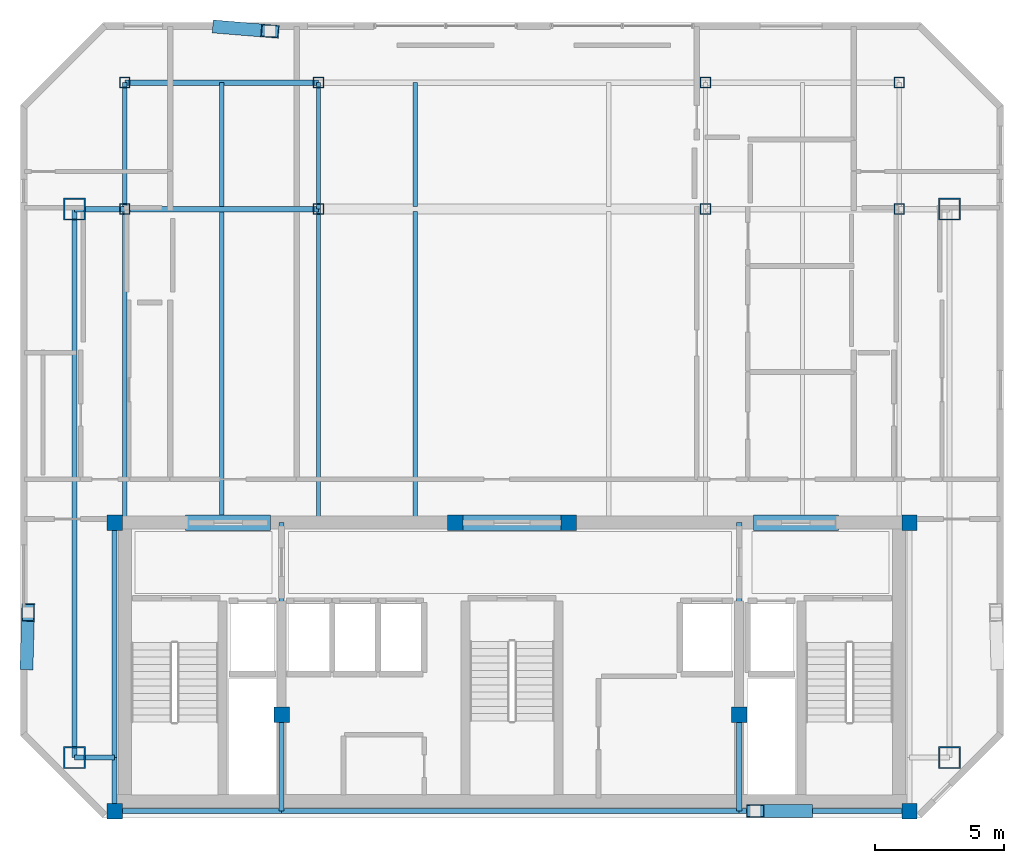
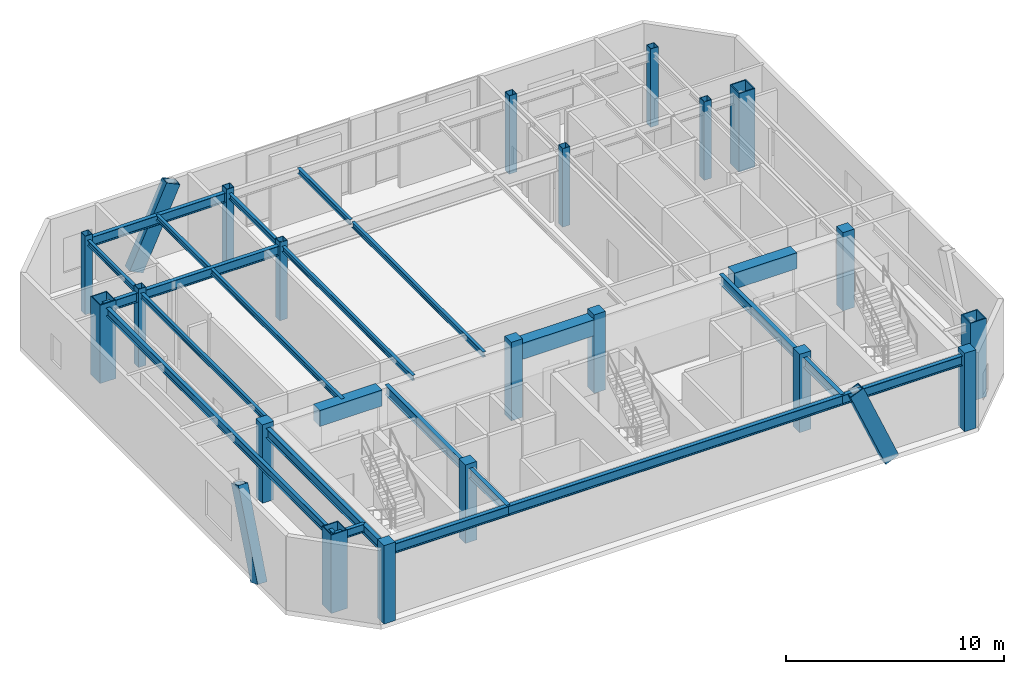
# One storey, part 1 of 10: 25 beams, 20 columns, 3 members.
"""IFC4 building model written with IfcOpenShell, lengths in metres."""

from ifc_helpers import new_model, si_unit, direction, frame, origin, origin_2d, place, context, subcontext, project, spatial, rectangle, hollow_rectangle, i_section, extrude, material, material_profile, profile_set, type_object, element, save


model = new_model("IFC4")

# Units and contexts
model_context = context("Model", 3, precision=1e-05, world=origin(), true_north=direction((0.0, 1.0)))
body_context = subcontext(model_context, "Body", "Model", "MODEL_VIEW")
ifc_project = project(units=[si_unit("LENGTHUNIT", "METRE"), si_unit("AREAUNIT", "SQUARE_METRE"), si_unit("VOLUMEUNIT", "CUBIC_METRE"), si_unit("PLANEANGLEUNIT", "RADIAN"), si_unit("MASSUNIT", "GRAM", prefix="KILO")], contexts=[model_context])

# Site, building, storey
site_placement = place(None, origin())
site = spatial("IfcSite", under=ifc_project, at=site_placement, CompositionType="ELEMENT")
building_placement = place(site_placement, origin())
building = spatial("IfcBuilding", under=site, at=building_placement, Name="Ventersveld Concourse Tower", CompositionType="ELEMENT")
storey_placement = place(building_placement, frame((0.0, 0.0, 357.85009765625)))
storey = spatial("IfcBuildingStorey", under=building, at=storey_placement, Name="L88", CompositionType="ELEMENT", Elevation=357.85009765625)

# Columns
ifc_material_1 = material(Name="Concrete C50/60", Category="concrete")
ifc_material_profile_1 = material_profile(ifc_material_1, rectangle(XDim=0.60009765625, YDim=0.60009765625, at=origin_2d()), Name="RC 600x600")
ifc_profile_set_1 = profile_set([ifc_material_profile_1], Name="Concrete C50/60")
column_type_1 = type_object("IfcColumnType", Name="COL-RC600", PredefinedType="COLUMN", material=ifc_profile_set_1)
for number, where, z_axis, x_axis, name in (
    (1, (13.35009765625, 0.280029296875, 0.0), (0.0, 0.0, 1.0), (1.0, 0.0, 0.0), "L88 Core Spine Column CC-SW"),
    (2, (44.14990234375, 0.280029296875, 0.0), (0.0, 0.0, 1.0), (1.0, 0.0, 0.0), "L88 Core Spine Column CC-SE"),
    (3, (13.35009765625, 11.449951171875, 0.0), (0.0, 0.0, 1.0), (1.0, 0.0, 0.0), "L88 Core Spine Column CC-NW"),
    (4, (44.14990234375, 11.449951171875, 0.0), (0.0, 0.0, 1.0), (1.0, 0.0, 0.0), "L88 Core Spine Column CC-NE"),
    (5, (19.820068359375, 4.0, 0.0), (0.0, 0.0, 1.0), (1.0, 0.0, 0.0), "L88 Core Spine Column CM-1"),
    (6, (37.550048828125, 4.0, 0.0), (0.0, 0.0, 1.0), (1.0, 0.0, 0.0), "L88 Core Spine Column CM-2"),
    (7, (26.550048828125, 11.449951171875, 0.0), (0.0, 0.0, 1.0), (1.0, 0.0, 0.0), "L88 Core Spine Column CM-3"),
    (8, (30.949951171875, 11.449951171875, 0.0), (0.0, 0.0, 1.0), (1.0, 0.0, 0.0), "L88 Core Spine Column CM-4"),
):
    element("IfcColumn", number, at=place(storey_placement, frame(where, z_axis=z_axis, x_axis=x_axis)), inside=storey, type_object=column_type_1, Name=name, PredefinedType="COLUMN", context=body_context, shape_type="SweptSolid", body=[
        extrude(rectangle(XDim=0.60009765625, YDim=0.60009765625, at=origin_2d()), origin(), (0.0, 0.0, 1.0), 4.39990234375),
    ])
ifc_material_2 = material(Name="Structural steel S355J2", Category="steel")
ifc_material_profile_2 = material_profile(ifc_material_2, hollow_rectangle(XDim=0.39990234375, YDim=0.39990234375, WallThickness=0.02001953125, at=origin_2d()), Name="SHS 400x400x20")
ifc_profile_set_2 = profile_set([ifc_material_profile_2], Name="Structural steel S355J2")
column_type_2 = type_object("IfcColumnType", Name="COL-SHS400", PredefinedType="COLUMN", material=ifc_profile_set_2)
for number, where, z_axis, x_axis, name in (
    (9, (13.75, 23.60009765625, 0.0), (0.0, 0.0, 1.0), (1.0, 0.0, 0.0), "L88 Interior Gravity Column X=13.75 Y=23.60"),
    (10, (21.25, 23.60009765625, 0.0), (0.0, 0.0, 1.0), (1.0, 0.0, 0.0), "L88 Interior Gravity Column X=21.25 Y=23.60"),
    (11, (36.25, 23.60009765625, 0.0), (0.0, 0.0, 1.0), (1.0, 0.0, 0.0), "L88 Interior Gravity Column X=36.25 Y=23.60"),
    (12, (43.75, 23.60009765625, 0.0), (0.0, 0.0, 1.0), (1.0, 0.0, 0.0), "L88 Interior Gravity Column X=43.75 Y=23.60"),
    (13, (13.75, 28.5, 0.0), (0.0, 0.0, 1.0), (1.0, 0.0, 0.0), "L88 Upper-North Gravity Column X=13.75 Y=28.50"),
    (14, (21.25, 28.5, 0.0), (0.0, 0.0, 1.0), (1.0, 0.0, 0.0), "L88 Upper-North Gravity Column X=21.25 Y=28.50"),
    (15, (36.25, 28.5, 0.0), (0.0, 0.0, 1.0), (1.0, 0.0, 0.0), "L88 Upper-North Gravity Column X=36.25 Y=28.50"),
    (16, (43.75, 28.5, 0.0), (0.0, 0.0, 1.0), (1.0, 0.0, 0.0), "L88 Upper-North Gravity Column X=43.75 Y=28.50"),
):
    element("IfcColumn", number, at=place(storey_placement, frame(where, z_axis=z_axis, x_axis=x_axis)), inside=storey, type_object=column_type_2, Name=name, PredefinedType="COLUMN", context=body_context, shape_type="SweptSolid", body=[
        extrude(hollow_rectangle(XDim=0.39990234375, YDim=0.39990234375, WallThickness=0.02001953125, at=origin_2d()), origin(), (0.0, 0.0, 1.0), 4.39990234375),
    ])
ifc_material_3 = material(Name="Structural steel S460ML", Category="steel")
ifc_material_profile_3 = material_profile(ifc_material_3, hollow_rectangle(XDim=0.85009765625, YDim=0.85009765625, WallThickness=0.050048828125, at=origin_2d()), Name="BOX 850x850x50")
ifc_profile_set_3 = profile_set([ifc_material_profile_3], Name="Structural steel S460ML")
column_type_3 = type_object("IfcColumnType", Name="MC-850", PredefinedType="USERDEFINED", material=ifc_profile_set_3)
for number, where, z_axis, x_axis, name in (
    (17, (11.800048828125, 2.35009765625, 0.0), (0.0, 0.0, 1.0), (1.0, 0.0, 0.0), "L88 Corner Mega-Column MC-SW"),
    (18, (45.699951171875, 2.35009765625, 0.0), (0.0, 0.0, 1.0), (1.0, 0.0, 0.0), "L88 Corner Mega-Column MC-SE"),
    (19, (45.699951171875, 23.60009765625, 0.0), (0.0, 0.0, 1.0), (1.0, 0.0, 0.0), "L88 Corner Mega-Column MC-NE"),
    (20, (11.800048828125, 23.60009765625, 0.0), (0.0, 0.0, 1.0), (1.0, 0.0, 0.0), "L88 Corner Mega-Column MC-NW"),
):
    element("IfcColumn", number, at=place(storey_placement, frame(where, z_axis=z_axis, x_axis=x_axis)), inside=storey, type_object=column_type_3, Name=name, ObjectType="MEGA_COLUMN", PredefinedType="USERDEFINED", context=body_context, shape_type="SweptSolid", body=[
        extrude(hollow_rectangle(XDim=0.85009765625, YDim=0.85009765625, WallThickness=0.050048828125, at=origin_2d()), origin(), (0.0, 0.0, 1.0), 4.39990234375),
    ])

# Beams
ifc_material_profile_4 = material_profile(ifc_material_2, i_section(OverallWidth=0.1650390625, OverallDepth=0.303466796875, WebThickness=0.006103515625, FlangeThickness=0.01025390625, FilletRadius=0.0087890625, at=origin_2d()), Name="UB 305x165x40")
ifc_profile_set_4 = profile_set([ifc_material_profile_4], Name="Structural steel S355J2")
beam_type_1 = type_object("IfcBeamType", Name="BM-UB305", PredefinedType="BEAM", material=ifc_profile_set_4)
beam_1_placement = place(storey_placement, frame((13.75, 11.449951171875, 3.98828125), z_axis=(0.0, 1.0, 0.0), x_axis=(-1.0, 0.0, 0.0)))
element("IfcBeam", 21, at=beam_1_placement, inside=storey, type_object=beam_type_1, Name="L88 N-S Composite Floor Beam South X=13.75", PredefinedType="BEAM", context=body_context, shape_type="SweptSolid", body=[
    extrude(i_section(OverallWidth=0.1650390625, OverallDepth=0.303466796875, WebThickness=0.006103515625, FlangeThickness=0.01025390625, FilletRadius=0.0087890625, at=origin_2d()), origin(), (0.0, 0.0, 1.0), 12.150146484375),
])
beam_2_placement = place(storey_placement, frame((13.75, 23.60009765625, 3.98828125), z_axis=(0.0, 1.0, 0.0), x_axis=(-1.0, 0.0, 0.0)))
element("IfcBeam", 22, at=beam_2_placement, inside=storey, type_object=beam_type_1, Name="L88 N-S Upper-Zone Floor Beam X=13.75", PredefinedType="BEAM", context=body_context, shape_type="SweptSolid", body=[
    extrude(i_section(OverallWidth=0.1650390625, OverallDepth=0.303466796875, WebThickness=0.006103515625, FlangeThickness=0.01025390625, FilletRadius=0.0087890625, at=origin_2d()), origin(), (0.0, 0.0, 1.0), 4.89990234375),
])
beam_3_placement = place(storey_placement, frame((17.5, 11.449951171875, 3.98828125), z_axis=(0.0, 1.0, 0.0), x_axis=(-1.0, 0.0, 0.0)))
element("IfcBeam", 23, at=beam_3_placement, inside=storey, type_object=beam_type_1, Name="L88 N-S Composite Floor Beam South X=17.50", PredefinedType="BEAM", context=body_context, shape_type="SweptSolid", body=[
    extrude(i_section(OverallWidth=0.1650390625, OverallDepth=0.303466796875, WebThickness=0.006103515625, FlangeThickness=0.01025390625, FilletRadius=0.0087890625, at=origin_2d()), origin(), (0.0, 0.0, 1.0), 12.054931640625),
])
beam_4_placement = place(storey_placement, frame((17.5, 23.695068359375, 3.98828125), z_axis=(0.0, 1.0, 0.0), x_axis=(-1.0, 0.0, 0.0)))
element("IfcBeam", 24, at=beam_4_placement, inside=storey, type_object=beam_type_1, Name="L88 N-S Upper-Zone Floor Beam X=17.50", PredefinedType="BEAM", context=body_context, shape_type="SweptSolid", body=[
    extrude(i_section(OverallWidth=0.1650390625, OverallDepth=0.303466796875, WebThickness=0.006103515625, FlangeThickness=0.01025390625, FilletRadius=0.0087890625, at=origin_2d()), origin(), (0.0, 0.0, 1.0), 4.804931640625),
])
beam_5_placement = place(storey_placement, frame((21.25, 11.449951171875, 3.98828125), z_axis=(0.0, 1.0, 0.0), x_axis=(-1.0, 0.0, 0.0)))
element("IfcBeam", 25, at=beam_5_placement, inside=storey, type_object=beam_type_1, Name="L88 N-S Composite Floor Beam South X=21.25", PredefinedType="BEAM", context=body_context, shape_type="SweptSolid", body=[
    extrude(i_section(OverallWidth=0.1650390625, OverallDepth=0.303466796875, WebThickness=0.006103515625, FlangeThickness=0.01025390625, FilletRadius=0.0087890625, at=origin_2d()), origin(), (0.0, 0.0, 1.0), 12.150146484375),
])
beam_6_placement = place(storey_placement, frame((21.25, 23.60009765625, 3.98828125), z_axis=(0.0, 1.0, 0.0), x_axis=(-1.0, 0.0, 0.0)))
element("IfcBeam", 26, at=beam_6_placement, inside=storey, type_object=beam_type_1, Name="L88 N-S Upper-Zone Floor Beam X=21.25", PredefinedType="BEAM", context=body_context, shape_type="SweptSolid", body=[
    extrude(i_section(OverallWidth=0.1650390625, OverallDepth=0.303466796875, WebThickness=0.006103515625, FlangeThickness=0.01025390625, FilletRadius=0.0087890625, at=origin_2d()), origin(), (0.0, 0.0, 1.0), 4.89990234375),
])
beam_7_placement = place(storey_placement, frame((25.0, 11.449951171875, 3.98828125), z_axis=(0.0, 1.0, 0.0), x_axis=(-1.0, 0.0, 0.0)))
element("IfcBeam", 27, at=beam_7_placement, inside=storey, type_object=beam_type_1, Name="L88 N-S Composite Floor Beam South X=25.00", PredefinedType="BEAM", context=body_context, shape_type="SweptSolid", body=[
    extrude(i_section(OverallWidth=0.1650390625, OverallDepth=0.303466796875, WebThickness=0.006103515625, FlangeThickness=0.01025390625, FilletRadius=0.0087890625, at=origin_2d()), origin(), (0.0, 0.0, 1.0), 12.054931640625),
])
beam_8_placement = place(storey_placement, frame((25.0, 23.695068359375, 3.98828125), z_axis=(0.0, 1.0, 0.0), x_axis=(-1.0, 0.0, 0.0)))
element("IfcBeam", 28, at=beam_8_placement, inside=storey, type_object=beam_type_1, Name="L88 N-S Upper-Zone Floor Beam X=25.00", PredefinedType="BEAM", context=body_context, shape_type="SweptSolid", body=[
    extrude(i_section(OverallWidth=0.1650390625, OverallDepth=0.303466796875, WebThickness=0.006103515625, FlangeThickness=0.01025390625, FilletRadius=0.0087890625, at=origin_2d()), origin(), (0.0, 0.0, 1.0), 4.804931640625),
])
ifc_material_profile_5 = material_profile(ifc_material_1, rectangle(XDim=0.60009765625, YDim=0.89990234375, at=origin_2d()), Name="RC 600x900")
ifc_profile_set_5 = profile_set([ifc_material_profile_5], Name="Concrete C50/60")
beam_type_2 = type_object("IfcBeamType", Name="CB-RC600x900U", PredefinedType="LINTEL", material=ifc_profile_set_5)
beam_9_placement = place(storey_placement, frame((16.10009765625, 11.449951171875, 3.68994140625), z_axis=(1.0, 0.0, 0.0), x_axis=(0.0, 1.0, 0.0)))
element("IfcBeam", 29, at=beam_9_placement, inside=storey, type_object=beam_type_2, Name="L88 Core Coupling Lintel Beam 1", PredefinedType="LINTEL", context=body_context, shape_type="SweptSolid", body=[
    extrude(rectangle(XDim=0.60009765625, YDim=0.89990234375, at=origin_2d()), origin(), (0.0, 0.0, 1.0), 3.2998046875),
])
beam_10_placement = place(storey_placement, frame((26.5, 11.449951171875, 3.68994140625), z_axis=(1.0, 0.0, 0.0), x_axis=(0.0, 1.0, 0.0)))
element("IfcBeam", 30, at=beam_10_placement, inside=storey, type_object=beam_type_2, Name="L88 Core Coupling Lintel Beam 2", PredefinedType="LINTEL", context=body_context, shape_type="SweptSolid", body=[
    extrude(rectangle(XDim=0.60009765625, YDim=0.89990234375, at=origin_2d()), origin(), (0.0, 0.0, 1.0), 4.5),
])
beam_11_placement = place(storey_placement, frame((38.10009765625, 11.449951171875, 3.68994140625), z_axis=(1.0, 0.0, 0.0), x_axis=(0.0, 1.0, 0.0)))
element("IfcBeam", 31, at=beam_11_placement, inside=storey, type_object=beam_type_2, Name="L88 Core Coupling Lintel Beam 3", PredefinedType="LINTEL", context=body_context, shape_type="SweptSolid", body=[
    extrude(rectangle(XDim=0.60009765625, YDim=0.89990234375, at=origin_2d()), origin(), (0.0, 0.0, 1.0), 3.2998046875),
])
ifc_material_profile_6 = material_profile(ifc_material_2, i_section(OverallWidth=0.209228515625, OverallDepth=0.533203125, WebThickness=0.010009765625, FlangeThickness=0.015625, FilletRadius=0.0126953125, at=origin_2d()), Name="UB 533x210x92")
ifc_profile_set_6 = profile_set([ifc_material_profile_6], Name="Structural steel S355J2")
beam_type_3 = type_object("IfcBeamType", Name="GRD-UB533", PredefinedType="T_BEAM", material=ifc_profile_set_6)
beam_12_placement = place(storey_placement, frame((11.800048828125, 23.60009765625, 3.873291015625), z_axis=(1.0, 0.0, 0.0), x_axis=(0.0, 1.0, 0.0)))
element("IfcBeam", 32, at=beam_12_placement, inside=storey, type_object=beam_type_3, Name="L88 Primary E-W Grid Girder Y=23.60 #1", PredefinedType="T_BEAM", context=body_context, shape_type="SweptSolid", body=[
    extrude(i_section(OverallWidth=0.209228515625, OverallDepth=0.533203125, WebThickness=0.010009765625, FlangeThickness=0.015625, FilletRadius=0.0126953125, at=origin_2d()), origin(), (0.0, 0.0, 1.0), 1.949951171875),
])
for number, where, z_axis, x_axis, name in (
    (33, (13.75, 23.60009765625, 3.873291015625), (1.0, 0.0, 0.0), (0.0, 1.0, 0.0), "L88 Primary E-W Grid Girder Y=23.60 #2"),
    (34, (13.75, 28.5, 3.873291015625), (1.0, 0.0, 0.0), (0.0, 1.0, 0.0), "L88 Upper-North E-W Girder Y=28.50 #1"),
):
    element("IfcBeam", number, at=place(storey_placement, frame(where, z_axis=z_axis, x_axis=x_axis)), inside=storey, type_object=beam_type_3, Name=name, PredefinedType="T_BEAM", context=body_context, shape_type="SweptSolid", body=[
        extrude(i_section(OverallWidth=0.209228515625, OverallDepth=0.533203125, WebThickness=0.010009765625, FlangeThickness=0.015625, FilletRadius=0.0126953125, at=origin_2d()), origin(), (0.0, 0.0, 1.0), 7.5),
    ])
ifc_material_profile_7 = material_profile(ifc_material_2, i_section(OverallWidth=0.2119140625, OverallDepth=0.54443359375, WebThickness=0.0126953125, FlangeThickness=0.021240234375, FilletRadius=0.0126953125, at=origin_2d()), Name="UB 533x210x122")
ifc_profile_set_7 = profile_set([ifc_material_profile_7], Name="Structural steel S355J2")
beam_type_4 = type_object("IfcBeamType", Name="GRD-UB533H", PredefinedType="T_BEAM", material=ifc_profile_set_7)
beam_13_placement = place(storey_placement, frame((13.35009765625, 0.280029296875, 3.86767578125), z_axis=(0.0, 1.0, 0.0), x_axis=(-1.0, 0.0, 0.0)))
element("IfcBeam", 35, at=beam_13_placement, inside=storey, type_object=beam_type_4, Name="L88 Core West Tie Beam S", PredefinedType="T_BEAM", context=body_context, shape_type="SweptSolid", body=[
    extrude(i_section(OverallWidth=0.2119140625, OverallDepth=0.54443359375, WebThickness=0.0126953125, FlangeThickness=0.021240234375, FilletRadius=0.0126953125, at=origin_2d()), origin(), (0.0, 0.0, 1.0), 2.070068359375),
])
beam_14_placement = place(storey_placement, frame((13.35009765625, 2.35009765625, 3.86767578125), z_axis=(0.0, 1.0, 0.0), x_axis=(-1.0, 0.0, 0.0)))
element("IfcBeam", 36, at=beam_14_placement, inside=storey, type_object=beam_type_4, Name="L88 Core West Tie Beam N", PredefinedType="T_BEAM", context=body_context, shape_type="SweptSolid", body=[
    extrude(i_section(OverallWidth=0.2119140625, OverallDepth=0.54443359375, WebThickness=0.0126953125, FlangeThickness=0.021240234375, FilletRadius=0.0126953125, at=origin_2d()), origin(), (0.0, 0.0, 1.0), 9.099853515625),
])
beam_15_placement = place(storey_placement, frame((13.35009765625, 0.280029296875, 3.86767578125), z_axis=(1.0, 0.0, 0.0), x_axis=(0.0, 1.0, 0.0)))
element("IfcBeam", 37, at=beam_15_placement, inside=storey, type_object=beam_type_4, Name="L88 Core South Tie Beam W", PredefinedType="T_BEAM", context=body_context, shape_type="SweptSolid", body=[
    extrude(i_section(OverallWidth=0.2119140625, OverallDepth=0.54443359375, WebThickness=0.0126953125, FlangeThickness=0.021240234375, FilletRadius=0.0126953125, at=origin_2d()), origin(), (0.0, 0.0, 1.0), 6.469970703125),
])
beam_16_placement = place(storey_placement, frame((19.820068359375, 0.280029296875, 3.86767578125), z_axis=(1.0, 0.0, 0.0), x_axis=(0.0, 1.0, 0.0)))
element("IfcBeam", 38, at=beam_16_placement, inside=storey, type_object=beam_type_4, Name="L88 Core South Tie Beam C", PredefinedType="T_BEAM", context=body_context, shape_type="SweptSolid", body=[
    extrude(i_section(OverallWidth=0.2119140625, OverallDepth=0.54443359375, WebThickness=0.0126953125, FlangeThickness=0.021240234375, FilletRadius=0.0126953125, at=origin_2d()), origin(), (0.0, 0.0, 1.0), 17.72998046875),
])
beam_17_placement = place(storey_placement, frame((37.550048828125, 0.280029296875, 3.86767578125), z_axis=(1.0, 0.0, 0.0), x_axis=(0.0, 1.0, 0.0)))
element("IfcBeam", 39, at=beam_17_placement, inside=storey, type_object=beam_type_4, Name="L88 Core South Tie Beam E", PredefinedType="T_BEAM", context=body_context, shape_type="SweptSolid", body=[
    extrude(i_section(OverallWidth=0.2119140625, OverallDepth=0.54443359375, WebThickness=0.0126953125, FlangeThickness=0.021240234375, FilletRadius=0.0126953125, at=origin_2d()), origin(), (0.0, 0.0, 1.0), 6.599853515625),
])
beam_18_placement = place(storey_placement, frame((19.820068359375, 0.280029296875, 3.86767578125), z_axis=(0.0, 1.0, 0.0), x_axis=(-1.0, 0.0, 0.0)))
element("IfcBeam", 40, at=beam_18_placement, inside=storey, type_object=beam_type_4, Name="L88 Core Spine N-S Tie Beam W1", PredefinedType="T_BEAM", context=body_context, shape_type="SweptSolid", body=[
    extrude(i_section(OverallWidth=0.2119140625, OverallDepth=0.54443359375, WebThickness=0.0126953125, FlangeThickness=0.021240234375, FilletRadius=0.0126953125, at=origin_2d()), origin(), (0.0, 0.0, 1.0), 3.719970703125),
])
beam_19_placement = place(storey_placement, frame((19.820068359375, 4.0, 3.86767578125), z_axis=(0.0, 1.0, 0.0), x_axis=(-1.0, 0.0, 0.0)))
element("IfcBeam", 41, at=beam_19_placement, inside=storey, type_object=beam_type_4, Name="L88 Core Spine N-S Tie Beam W2", PredefinedType="T_BEAM", context=body_context, shape_type="SweptSolid", body=[
    extrude(i_section(OverallWidth=0.2119140625, OverallDepth=0.54443359375, WebThickness=0.0126953125, FlangeThickness=0.021240234375, FilletRadius=0.0126953125, at=origin_2d()), origin(), (0.0, 0.0, 1.0), 7.449951171875),
])
beam_20_placement = place(storey_placement, frame((37.550048828125, 0.280029296875, 3.86767578125), z_axis=(0.0, 1.0, 0.0), x_axis=(-1.0, 0.0, 0.0)))
element("IfcBeam", 42, at=beam_20_placement, inside=storey, type_object=beam_type_4, Name="L88 Core Spine N-S Tie Beam E1", PredefinedType="T_BEAM", context=body_context, shape_type="SweptSolid", body=[
    extrude(i_section(OverallWidth=0.2119140625, OverallDepth=0.54443359375, WebThickness=0.0126953125, FlangeThickness=0.021240234375, FilletRadius=0.0126953125, at=origin_2d()), origin(), (0.0, 0.0, 1.0), 3.719970703125),
])
beam_21_placement = place(storey_placement, frame((37.550048828125, 4.0, 3.86767578125), z_axis=(0.0, 1.0, 0.0), x_axis=(-1.0, 0.0, 0.0)))
element("IfcBeam", 43, at=beam_21_placement, inside=storey, type_object=beam_type_4, Name="L88 Core Spine N-S Tie Beam E2", PredefinedType="T_BEAM", context=body_context, shape_type="SweptSolid", body=[
    extrude(i_section(OverallWidth=0.2119140625, OverallDepth=0.54443359375, WebThickness=0.0126953125, FlangeThickness=0.021240234375, FilletRadius=0.0126953125, at=origin_2d()), origin(), (0.0, 0.0, 1.0), 7.449951171875),
])

# Members
ifc_material_4 = material(Name="Structural steel S355ML", Category="steel")
ifc_material_profile_8 = material_profile(ifc_material_4, hollow_rectangle(XDim=0.5, YDim=0.75, WallThickness=0.034912109375, at=origin_2d()), Name="BOX 750x500x35")
ifc_profile_set_8 = profile_set([ifc_material_profile_8], Name="Structural steel S355ML")
member_type = type_object("IfcMemberType", Name="MB-750x500", PredefinedType="BRACE", material=ifc_profile_set_8)
member_1_placement = place(storey_placement, frame((17.5, 30.6484375, -0.260009765625), z_axis=(0.391829437938, -0.032244297497, 0.919472673245), x_axis=(0.082014437678, 0.996631141402, 0.0)))
element("IfcMember", 44, at=member_1_placement, inside=storey, type_object=member_type, Name="L88 Exterior Mega-Brace N (Module M21)", PredefinedType="BRACE", context=body_context, shape_type="SweptSolid", body=[
    extrude(hollow_rectangle(XDim=0.5, YDim=0.75, WallThickness=0.034912109375, at=origin_2d()), origin(), (0.0, 0.0, 1.0), 4.78515625),
])
member_2_placement = place(storey_placement, frame((40.050048828125, 0.280029296875, -0.260009765625), z_axis=(-0.392033288408, 0.0, 0.91995103173), x_axis=(0.0, -1.0, 0.0)))
element("IfcMember", 45, at=member_2_placement, inside=storey, type_object=member_type, Name="L88 Exterior Mega-Brace S (Module M21)", PredefinedType="BRACE", context=body_context, shape_type="SweptSolid", body=[
    extrude(hollow_rectangle(XDim=0.5, YDim=0.75, WallThickness=0.034912109375, at=origin_2d()), origin(), (0.0, 0.0, 1.0), 4.78271484375),
])
member_3_placement = place(storey_placement, frame((9.9482421875, 6.10009765625, -0.260009765625), z_axis=(0.011178375771, 0.39200879417, 0.919893553194), x_axis=(-0.999593677347, 0.028504038456, 0.0)))
element("IfcMember", 46, at=member_3_placement, inside=storey, type_object=member_type, Name="L88 Exterior Mega-Brace W (Module M21)", PredefinedType="BRACE", context=body_context, shape_type="SweptSolid", body=[
    extrude(hollow_rectangle(XDim=0.5, YDim=0.75, WallThickness=0.034912109375, at=origin_2d()), origin(), (0.0, 0.0, 1.0), 4.782958984375),
])

# Beams
ifc_material_profile_9 = material_profile(ifc_material_2, i_section(OverallWidth=0.19140625, OverallDepth=0.4599609375, WebThickness=0.010009765625, FlangeThickness=0.01611328125, FilletRadius=0.01025390625, at=origin_2d()), Name="UB 457x191x82")
ifc_profile_set_9 = profile_set([ifc_material_profile_9], Name="Structural steel S355J2")
beam_type_5 = type_object("IfcBeamType", Name="SPD-UB457", PredefinedType="SPANDREL", material=ifc_profile_set_9)
beam_22_placement = place(storey_placement, frame((11.800048828125, 2.35009765625, 3.909912109375), z_axis=(1.0, 0.0, 0.0), x_axis=(0.0, 1.0, 0.0)))
element("IfcBeam", 47, at=beam_22_placement, inside=storey, type_object=beam_type_5, Name="L88 SW Spandrel Beam", PredefinedType="SPANDREL", context=body_context, shape_type="SweptSolid", body=[
    extrude(i_section(OverallWidth=0.19140625, OverallDepth=0.4599609375, WebThickness=0.010009765625, FlangeThickness=0.01611328125, FilletRadius=0.01025390625, at=origin_2d()), origin(), (0.0, 0.0, 1.0), 1.550048828125),
])
beam_23_placement = place(storey_placement, frame((11.800048828125, 2.35009765625, 3.909912109375), z_axis=(0.0, 1.0, 0.0), x_axis=(-1.0, 0.0, 0.0)))
element("IfcBeam", 48, at=beam_23_placement, inside=storey, type_object=beam_type_5, Name="L88 West Spandrel Beam", PredefinedType="SPANDREL", context=body_context, shape_type="SweptSolid", body=[
    extrude(i_section(OverallWidth=0.19140625, OverallDepth=0.4599609375, WebThickness=0.010009765625, FlangeThickness=0.01611328125, FilletRadius=0.01025390625, at=origin_2d()), origin(), (0.0, 0.0, 1.0), 21.25),
])

save(model, "model.ifc")
